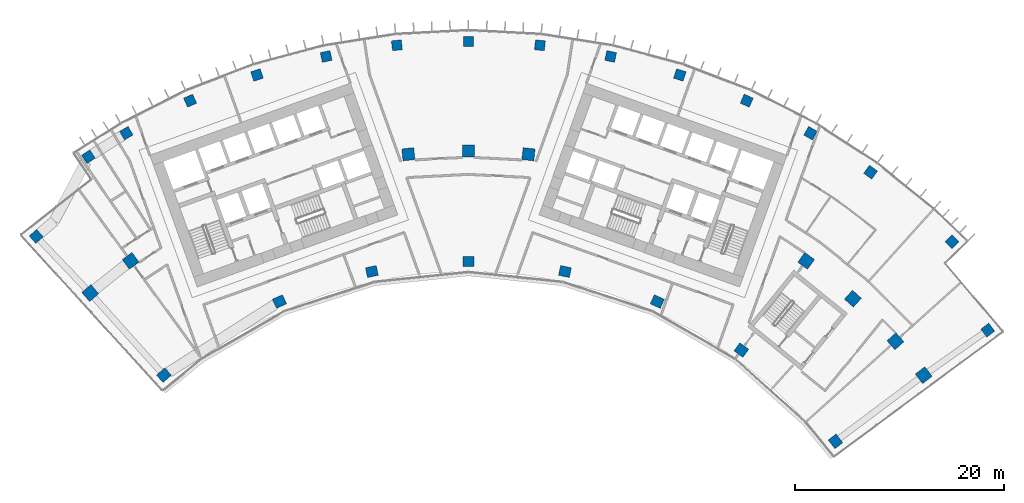
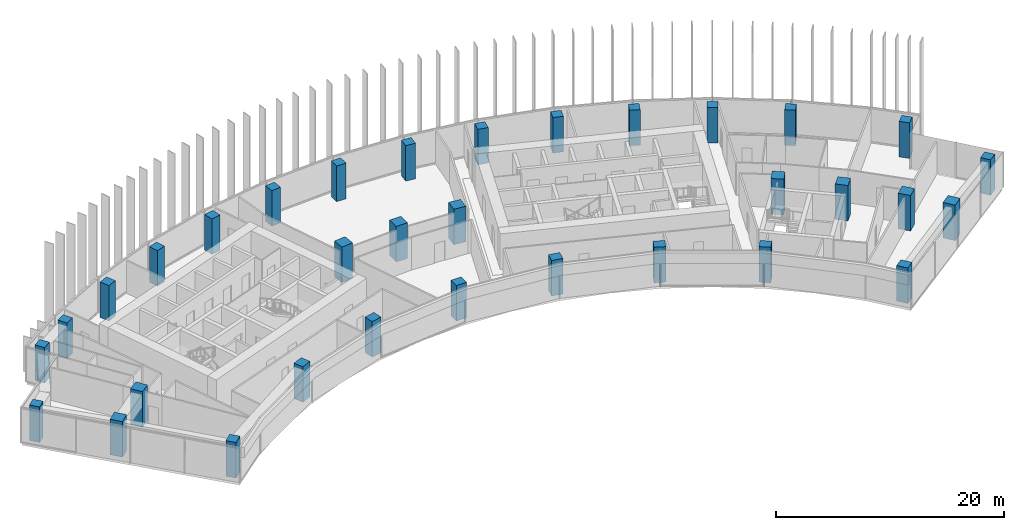
# One storey, part 1 of 19: 33 columns.
"""IFC4 building model written with IfcOpenShell, lengths in metres."""

from ifc_helpers import new_model, si_unit, direction, frame, origin, origin_2d, place, context, subcontext, project, spatial, rectangle, extrude, material, material_profile, profile_set, type_object, element, save


model = new_model("IFC4")

# Units and contexts
model_context = context("Model", 3, precision=1e-05, world=origin(), true_north=direction((0.0, 1.0)))
body_context = subcontext(model_context, "Body", "Model", "MODEL_VIEW")
ifc_project = project(units=[si_unit("LENGTHUNIT", "METRE"), si_unit("AREAUNIT", "SQUARE_METRE"), si_unit("VOLUMEUNIT", "CUBIC_METRE"), si_unit("PLANEANGLEUNIT", "RADIAN"), si_unit("MASSUNIT", "GRAM", prefix="KILO")], contexts=[model_context])

# Site, building, storey
site_placement = place(None, origin())
site = spatial("IfcSite", under=ifc_project, at=site_placement, CompositionType="ELEMENT")
building_placement = place(site_placement, origin())
building = spatial("IfcBuilding", under=site, at=building_placement, Name="Stone Belt Terrace Tower", CompositionType="ELEMENT")
storey_placement = place(building_placement, frame((0.0, 0.0, 235.199951171875)))
storey = spatial("IfcBuildingStorey", under=building, at=storey_placement, Name="L57", CompositionType="ELEMENT", Elevation=235.199951171875)

# Columns
ifc_material = material(Name="Concrete B60", Category="concrete")
ifc_material_profile_1 = material_profile(ifc_material, rectangle(XDim=1.050048828125, YDim=0.949951171875, at=origin_2d()), Name="RC 1050x950")
ifc_profile_set_1 = profile_set([ifc_material_profile_1], Name="Concrete B60")
column_type_1 = type_object("IfcColumnType", Name="Column RC 1050x950 B60", PredefinedType="COLUMN", material=ifc_profile_set_1)
for number, where, z_axis, x_axis, name in (
    (1, (-29.146728515625, 33.553466796875, 0.0), (0.0, 0.0, 1.0), (0.754940831195, 0.655792910448, 0.0), "Column L57 PA"),
    (2, (-18.077392578125, 40.6025390625, 0.0), (0.0, 0.0, 1.0), (0.913545457643, 0.406736643076, 0.0), "Column L57 P18"),
    (3, (-9.240478515625, 43.473876953125, 0.0), (0.0, 0.0, 1.0), (0.978147600734, 0.207911690818, 0.0), "Column L57 P20"),
    (4, (0.0, 44.445068359375, 0.0), (0.0, 0.0, 1.0), (1.0, 0.0, 0.0), "Column L57 P22"),
    (5, (9.240478515625, 43.473876953125, 0.0), (0.0, 0.0, 1.0), (0.978147600734, -0.207911690818, 0.0), "Column L57 P24"),
    (6, (18.077392578125, 40.6025390625, 0.0), (0.0, 0.0, 1.0), (0.913545457643, -0.406736643076, 0.0), "Column L57 P26"),
    (7, (26.1240234375, 35.956787109375, 0.0), (0.0, 0.0, 1.0), (0.809016994375, -0.587785252292, 0.0), "Column L57 P28"),
    (8, (35.133056640625, 27.221923828125, 0.0), (0.0, 0.0, 1.0), (0.612484967582, -0.790482235402, 0.0), "Column L57 PB"),
):
    element("IfcColumn", number, at=place(storey_placement, frame(where, z_axis=z_axis, x_axis=x_axis)), inside=storey, type_object=column_type_1, Name=name, PredefinedType="COLUMN", context=body_context, shape_type="SweptSolid", body=[
        extrude(rectangle(XDim=1.050048828125, YDim=0.949951171875, at=origin_2d()), origin(), (0.0, 0.0, 1.0), 3.800048828125),
    ])
ifc_material_profile_2 = material_profile(ifc_material, rectangle(XDim=1.14990234375, YDim=1.14990234375, at=origin_2d()), Name="RC 1150x1150")
ifc_profile_set_2 = profile_set([ifc_material_profile_2], Name="Concrete B60")
column_type_2 = type_object("IfcColumnType", Name="Column RC 1150x1150 B60", PredefinedType="COLUMN", material=ifc_profile_set_2)
for number, where, z_axis, x_axis, name in (
    (9, (-36.194580078125, 41.411865234375, 0.0), (0.0, 0.0, 1.0), (0.752943496139, 0.658085170493, 0.0), "Column L57 QA"),
    (10, (-32.328125, 44.495849609375, 0.0), (0.0, 0.0, 1.0), (0.809016994375, 0.587785252292, 0.0), "Column L57 Q16"),
    (11, (-5.7490234375, 54.69873046875, 0.0), (0.0, 0.0, 1.0), (0.994521895368, 0.104528463268, 0.0), "Column L57 Q21"),
    (12, (0.0, 55.0, 0.0), (0.0, 0.0, 1.0), (1.0, 0.0, 0.0), "Column L57 Q22"),
    (13, (5.7490234375, 54.69873046875, 0.0), (0.0, 0.0, 1.0), (0.994521895368, -0.104528463268, 0.0), "Column L57 Q23"),
    (14, (32.328125, 44.495849609375, 0.0), (0.0, 0.0, 1.0), (0.809016994375, -0.587785252292, 0.0), "Column L57 Q28"),
    (15, (36.80224609375, 40.873046875, 0.0), (0.0, 0.0, 1.0), (0.743144825477, -0.669130606359, 0.0), "Column L57 Q29"),
    (16, (40.873046875, 36.80224609375, 0.0), (0.0, 0.0, 1.0), (0.669130606359, -0.743144825477, 0.0), "Column L57 Q30"),
    (17, (43.57861328125, 33.55419921875, 0.0), (0.0, 0.0, 1.0), (0.610078787058, -0.792340755977, 0.0), "Column L57 QB"),
):
    element("IfcColumn", number, at=place(storey_placement, frame(where, z_axis=z_axis, x_axis=x_axis)), inside=storey, type_object=column_type_2, Name=name, PredefinedType="COLUMN", context=body_context, shape_type="SweptSolid", body=[
        extrude(rectangle(XDim=1.14990234375, YDim=1.14990234375, at=origin_2d()), origin(), (0.0, 0.0, 1.0), 3.800048828125),
    ])
ifc_material_profile_3 = material_profile(ifc_material, rectangle(XDim=0.949951171875, YDim=0.949951171875, at=origin_2d()), Name="RC 950x950")
ifc_profile_set_3 = profile_set([ifc_material_profile_3], Name="Concrete B60")
column_type_3 = type_object("IfcColumnType", Name="Column RC 950x950 B60", PredefinedType="COLUMN", material=ifc_profile_set_3)
for number, where, z_axis, x_axis, name in (
    (18, (-41.366455078125, 46.836669921875, 0.0), (0.0, 0.0, 1.0), (0.749519816259, 0.661981906879, 0.0), "Column L57 RA"),
    (19, (49.70947265625, 37.86572265625, 0.0), (0.0, 0.0, 1.0), (0.605960632634, -0.795494633356, 0.0), "Column L57 RB"),
    (20, (-36.369873046875, 54.461181640625, 0.0), (0.0, 0.0, 1.0), (0.831610185357, 0.555359792937, 0.0), "Column L57 RNA"),
    (21, (-32.744384765625, 56.715087890625, 0.0), (0.0, 0.0, 1.0), (0.866025403784, 0.5, 0.0), "Column L57 R17"),
    (22, (-26.63671875, 59.8271484375, 0.0), (0.0, 0.0, 1.0), (0.913545457643, 0.406736643076, 0.0), "Column L57 R18"),
    (23, (-20.2373046875, 62.28369140625, 0.0), (0.0, 0.0, 1.0), (0.951056516295, 0.309016994375, 0.0), "Column L57 R19"),
    (24, (-13.615966796875, 64.057861328125, 0.0), (0.0, 0.0, 1.0), (0.978147600734, 0.207911690818, 0.0), "Column L57 R20"),
    (25, (-6.845458984375, 65.130126953125, 0.0), (0.0, 0.0, 1.0), (0.994521895368, 0.104528463268, 0.0), "Column L57 R21"),
    (26, (0.0, 65.489013671875, 0.0), (0.0, 0.0, 1.0), (1.0, 0.0, 0.0), "Column L57 R22"),
    (27, (6.845458984375, 65.130126953125, 0.0), (0.0, 0.0, 1.0), (0.994521895368, -0.104528463268, 0.0), "Column L57 R23"),
    (28, (13.615966796875, 64.057861328125, 0.0), (0.0, 0.0, 1.0), (0.978147600734, -0.207911690818, 0.0), "Column L57 R24"),
    (29, (20.2373046875, 62.28369140625, 0.0), (0.0, 0.0, 1.0), (0.951056516295, -0.309016994375, 0.0), "Column L57 R25"),
    (30, (26.63671875, 59.8271484375, 0.0), (0.0, 0.0, 1.0), (0.913545457643, -0.406736643076, 0.0), "Column L57 R26"),
    (31, (32.744384765625, 56.715087890625, 0.0), (0.0, 0.0, 1.0), (0.866025403784, -0.5, 0.0), "Column L57 R27"),
    (32, (38.493408203125, 52.981689453125, 0.0), (0.0, 0.0, 1.0), (0.809016994375, -0.587785252292, 0.0), "Column L57 R28"),
    (33, (46.29638671875, 46.318603515625, 0.0), (0.0, 0.0, 1.0), (0.707275837349, -0.706937684596, 0.0), "Column L57 RNB"),
):
    element("IfcColumn", number, at=place(storey_placement, frame(where, z_axis=z_axis, x_axis=x_axis)), inside=storey, type_object=column_type_3, Name=name, PredefinedType="COLUMN", context=body_context, shape_type="SweptSolid", body=[
        extrude(rectangle(XDim=0.949951171875, YDim=0.949951171875, at=origin_2d()), origin(), (0.0, 0.0, 1.0), 3.800048828125),
    ])

save(model, "model.ifc")
